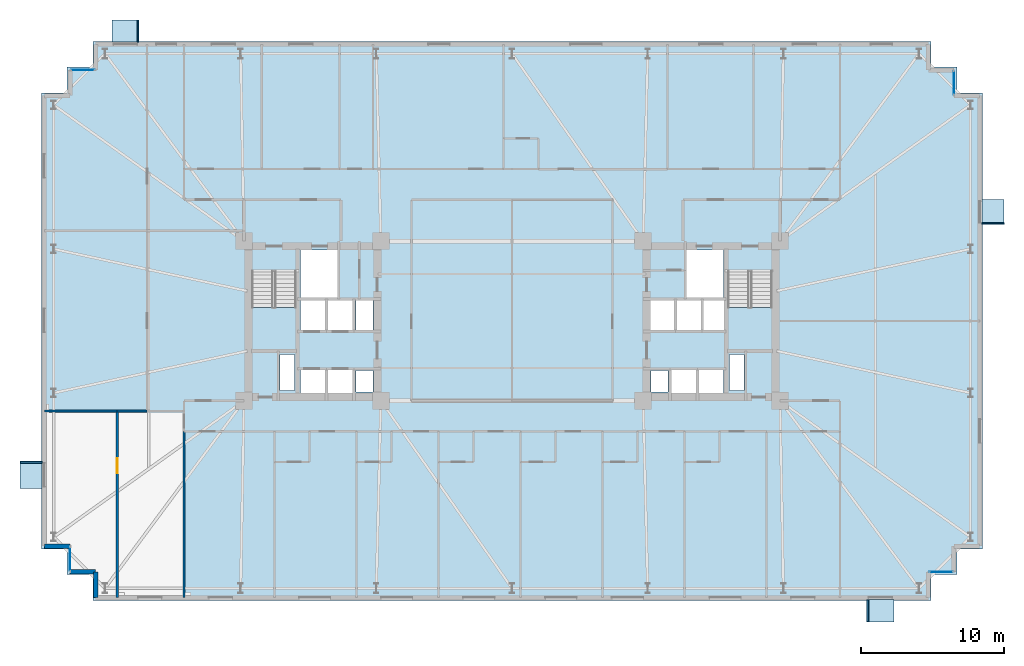
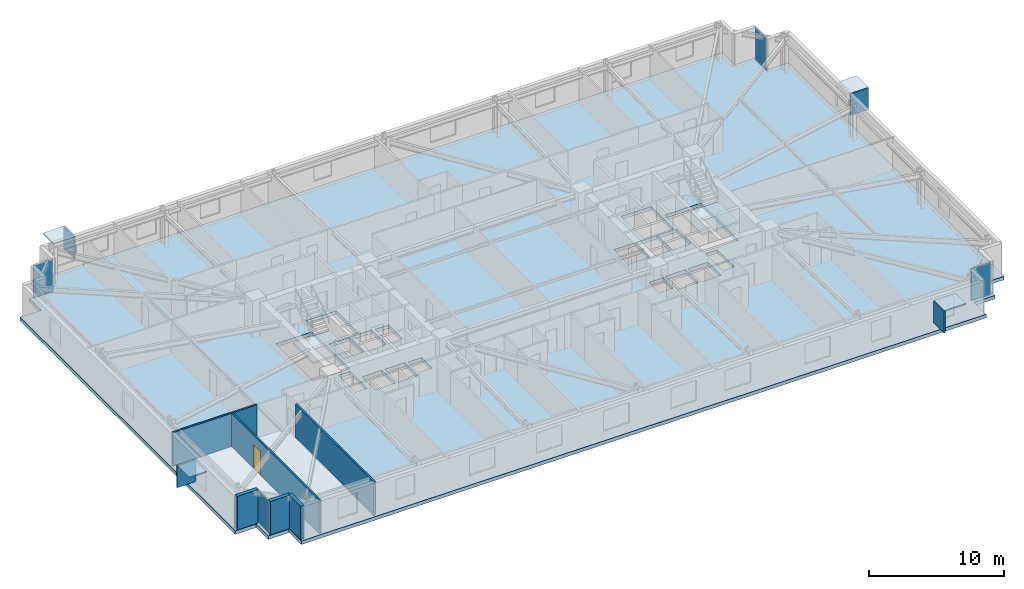
# One storey, part 13 of 20: 12 plates, 7 walls, 3 slabs, 1 door, 1 opening, 6 elements without a shape of their own.
"""IFC4 building model written with IfcOpenShell, lengths in metres."""

from ifc_helpers import new_model, si_unit, direction, frame, frame_2d, origin, origin_2d, place, context, subcontext, project, spatial, polyline, rectangle, outline, extrude, material, layer, layer_set, type_object, element, fill, aggregate, save


model = new_model("IFC4")

# Units and contexts
model_context = context("Model", 3, precision=1e-05, world=origin(), true_north=direction((0.0, 1.0)))
body_context = subcontext(model_context, "Body", "Model", "MODEL_VIEW")
ifc_project = project(units=[si_unit("LENGTHUNIT", "METRE"), si_unit("AREAUNIT", "SQUARE_METRE"), si_unit("VOLUMEUNIT", "CUBIC_METRE"), si_unit("PLANEANGLEUNIT", "RADIAN"), si_unit("MASSUNIT", "GRAM", prefix="KILO")], contexts=[model_context])

# Site, building, storey
site_placement = place(None, origin())
site = spatial("IfcSite", under=ifc_project, at=site_placement, CompositionType="ELEMENT")
building_placement = place(site_placement, origin())
building = spatial("IfcBuilding", under=site, at=building_placement, Name="Qobustan Lattice House", CompositionType="ELEMENT")
storey_placement = place(building_placement, frame((0.0, 0.0, 67.199951171875)))
storey = spatial("IfcBuildingStorey", under=building, at=storey_placement, Name="L18", CompositionType="ELEMENT", Elevation=67.199951171875)

# Curtain wall, plate
ifc_material_1 = material(Name="Anodised aluminium and low-E glazing", Category="aluminium")
ifc_layer_1 = layer(ifc_material_1, 0.219970703125)
ifc_layer_set_1 = layer_set([ifc_layer_1], Name="Anodised aluminium and low-E glazing")
curtain_wall_type = type_object("IfcCurtainWallType", Name="CW-FAC-01", PredefinedType="USERDEFINED", material=ifc_layer_set_1)
curtain_wall_1_placement = place(storey_placement, origin())
curtain_wall_1 = element("IfcCurtainWall", 1, at=curtain_wall_1_placement, inside=storey, type_object=curtain_wall_type, Name="L18 serrated corner faceted glazing 3", ObjectType="CURTAIN WALL", PredefinedType="USERDEFINED")
ifc_material_2 = material(Name="Clear low-E laminated glass", Category="glass")
ifc_layer_2 = layer(ifc_material_2, 0.031982421875)
ifc_layer_set_2 = layer_set([ifc_layer_2], Name="Clear low-E laminated glass")
plate_type_1 = type_object("IfcPlateType", Name="CWP-VISION-32", PredefinedType="CURTAIN_PANEL", material=ifc_layer_set_2)
plate_1_placement = place(storey_placement, frame((-31.0, -16.699951171875, 0.06494140625), z_axis=(0.0, 0.0, 1.0), x_axis=(0.0, 1.0, 0.0)))
plate_1 = element("IfcPlate", 2, at=plate_1_placement, type_object=plate_type_1, Name="CW-F1 panel 1.1", PredefinedType="CURTAIN_PANEL", context=body_context, shape_type="SweptSolid", body=[
    extrude(rectangle(XDim=1.659912109375, YDim=0.031982421875, at=origin_2d()), origin(), (0.0, 0.0, 1.0), 2.905029296875),
])
aggregate(curtain_wall_1, [plate_1])

curtain_wall_2_placement = place(storey_placement, origin())
curtain_wall_2 = element("IfcCurtainWall", 3, at=curtain_wall_2_placement, inside=storey, type_object=curtain_wall_type, Name="L18 serrated corner faceted glazing 8", ObjectType="CURTAIN WALL", PredefinedType="USERDEFINED")
plate_2_placement = place(storey_placement, frame((-30.10009765625, 17.60009765625, 0.06494140625), z_axis=(0.0, 0.0, 1.0), x_axis=(1.0, 0.0, 0.0)))
plate_2 = element("IfcPlate", 4, at=plate_2_placement, type_object=plate_type_1, Name="CW-F1 panel 1.1", PredefinedType="CURTAIN_PANEL", context=body_context, shape_type="SweptSolid", body=[
    extrude(rectangle(XDim=1.659912109375, YDim=0.031982421875, at=origin_2d()), origin(), (0.0, 0.0, 1.0), 2.905029296875),
])
aggregate(curtain_wall_2, [plate_2])

curtain_wall_3_placement = place(storey_placement, origin())
curtain_wall_3 = element("IfcCurtainWall", 5, at=curtain_wall_3_placement, inside=storey, type_object=curtain_wall_type, Name="L18 serrated corner faceted glazing 13", ObjectType="CURTAIN WALL", PredefinedType="USERDEFINED")
plate_3_placement = place(storey_placement, frame((31.0, 16.699951171875, 0.06494140625), z_axis=(0.0, 0.0, 1.0), x_axis=(0.0, -1.0, 0.0)))
plate_3 = element("IfcPlate", 6, at=plate_3_placement, type_object=plate_type_1, Name="CW-F1 panel 1.1", PredefinedType="CURTAIN_PANEL", context=body_context, shape_type="SweptSolid", body=[
    extrude(rectangle(XDim=1.659912109375, YDim=0.031982421875, at=origin_2d()), origin(), (0.0, 0.0, 1.0), 2.905029296875),
])
aggregate(curtain_wall_3, [plate_3])

curtain_wall_4_placement = place(storey_placement, origin())
curtain_wall_4 = element("IfcCurtainWall", 7, at=curtain_wall_4_placement, inside=storey, type_object=curtain_wall_type, Name="L18 serrated corner faceted glazing 18", ObjectType="CURTAIN WALL", PredefinedType="USERDEFINED")
plate_4_placement = place(storey_placement, frame((30.10009765625, -17.60009765625, 0.06494140625), z_axis=(0.0, 0.0, 1.0), x_axis=(-1.0, 0.0, 0.0)))
plate_4 = element("IfcPlate", 8, at=plate_4_placement, type_object=plate_type_1, Name="CW-F1 panel 1.1", PredefinedType="CURTAIN_PANEL", context=body_context, shape_type="SweptSolid", body=[
    extrude(rectangle(XDim=1.659912109375, YDim=0.031982421875, at=origin_2d()), origin(), (0.0, 0.0, 1.0), 2.905029296875),
])
aggregate(curtain_wall_4, [plate_4])

# Plates
ifc_material_3 = material(Name="Qobustan limestone GFRC", Category="masonry")
ifc_layer_3 = layer(ifc_material_3, 0.1201171875)
ifc_layer_set_3 = layer_set([ifc_layer_3], Name="Qobustan limestone GFRC")
plate_type_2 = type_object("IfcPlateType", Name="SHD-HOOD-BROW", PredefinedType="USERDEFINED", material=ifc_layer_set_3)
plate_5_placement = place(storey_placement, frame((-33.72998046875, -10.800048828125, 2.699951171875), z_axis=(0.0, 0.0, 1.0), x_axis=(0.0, 1.0, 0.0)))
element("IfcPlate", 9, at=plate_5_placement, inside=storey, type_object=plate_type_2, Name="L18 splayed Qobustan stone hood brow", ObjectType="SUNSHADE", PredefinedType="USERDEFINED", context=body_context, shape_type="SweptSolid", body=[
    extrude(rectangle(XDim=1.889892578125, YDim=1.56005859375, at=origin_2d()), origin(), (0.0, 0.0, 1.0), 0.1201171875),
])
plate_6_placement = place(storey_placement, frame((-33.72998046875, -9.9150390625, 0.7900390625), z_axis=(0.0, 0.0, 1.0), x_axis=(0.0, 1.0, 0.0)))
element("IfcPlate", 10, at=plate_6_placement, inside=storey, type_object=plate_type_2, Name="L18 splayed Qobustan stone hood cheek", ObjectType="SUNSHADE", PredefinedType="USERDEFINED", context=body_context, shape_type="SweptSolid", body=[
    extrude(rectangle(XDim=0.1201171875, YDim=1.56005859375, at=origin_2d()), origin(), (0.0, 0.0, 1.0), 1.969970703125),
])
plate_7_placement = place(storey_placement, frame((-27.1201171875, 20.330078125, 2.699951171875), z_axis=(0.0, 0.0, 1.0), x_axis=(1.0, 0.0, 0.0)))
element("IfcPlate", 11, at=plate_7_placement, inside=storey, type_object=plate_type_2, Name="L18 splayed Qobustan stone hood brow", ObjectType="SUNSHADE", PredefinedType="USERDEFINED", context=body_context, shape_type="SweptSolid", body=[
    extrude(rectangle(XDim=1.889892578125, YDim=1.56005859375, at=origin_2d()), origin(), (0.0, 0.0, 1.0), 0.1201171875),
])
plate_8_placement = place(storey_placement, frame((-26.235107421875, 20.330078125, 0.7900390625), z_axis=(0.0, 0.0, 1.0), x_axis=(1.0, 0.0, 0.0)))
element("IfcPlate", 12, at=plate_8_placement, inside=storey, type_object=plate_type_2, Name="L18 splayed Qobustan stone hood cheek", ObjectType="SUNSHADE", PredefinedType="USERDEFINED", context=body_context, shape_type="SweptSolid", body=[
    extrude(rectangle(XDim=0.1201171875, YDim=1.56005859375, at=origin_2d()), origin(), (0.0, 0.0, 1.0), 1.969970703125),
])
plate_9_placement = place(storey_placement, frame((33.72998046875, 7.639892578125, 2.699951171875), z_axis=(0.0, 0.0, 1.0), x_axis=(0.0, -1.0, 0.0)))
element("IfcPlate", 13, at=plate_9_placement, inside=storey, type_object=plate_type_2, Name="L18 splayed Qobustan stone hood brow", ObjectType="SUNSHADE", PredefinedType="USERDEFINED", context=body_context, shape_type="SweptSolid", body=[
    extrude(rectangle(XDim=1.739990234375, YDim=1.56005859375, at=origin_2d()), origin(), (0.0, 0.0, 1.0), 0.1201171875),
])
plate_10_placement = place(storey_placement, frame((33.72998046875, 6.830078125, 0.7900390625), z_axis=(0.0, 0.0, 1.0), x_axis=(0.0, -1.0, 0.0)))
element("IfcPlate", 14, at=plate_10_placement, inside=storey, type_object=plate_type_2, Name="L18 splayed Qobustan stone hood cheek", ObjectType="SUNSHADE", PredefinedType="USERDEFINED", context=body_context, shape_type="SweptSolid", body=[
    extrude(rectangle(XDim=0.1201171875, YDim=1.56005859375, at=origin_2d()), origin(), (0.0, 0.0, 1.0), 1.969970703125),
])
plate_11_placement = place(storey_placement, frame((25.840087890625, -20.330078125, 2.699951171875), z_axis=(0.0, 0.0, 1.0), x_axis=(-1.0, 0.0, 0.0)))
element("IfcPlate", 15, at=plate_11_placement, inside=storey, type_object=plate_type_2, Name="L18 splayed Qobustan stone hood brow", ObjectType="SUNSHADE", PredefinedType="USERDEFINED", context=body_context, shape_type="SweptSolid", body=[
    extrude(rectangle(XDim=1.889892578125, YDim=1.56005859375, at=origin_2d()), origin(), (0.0, 0.0, 1.0), 0.1201171875),
])
plate_12_placement = place(storey_placement, frame((24.955078125, -20.330078125, 0.7900390625), z_axis=(0.0, 0.0, 1.0), x_axis=(-1.0, 0.0, 0.0)))
element("IfcPlate", 16, at=plate_12_placement, inside=storey, type_object=plate_type_2, Name="L18 splayed Qobustan stone hood cheek", ObjectType="SUNSHADE", PredefinedType="USERDEFINED", context=body_context, shape_type="SweptSolid", body=[
    extrude(rectangle(XDim=0.1201171875, YDim=1.56005859375, at=origin_2d()), origin(), (0.0, 0.0, 1.0), 1.969970703125),
])

# Slab
ifc_material_4 = material(Name="Concrete C40/50", Category="concrete")
ifc_layer_4 = layer(ifc_material_4, 0.31494140625)
ifc_layer_set_4 = layer_set([ifc_layer_4], Name="Concrete C40/50")
slab_type_1 = type_object("IfcSlabType", Name="SLB-FLR-315", PredefinedType="FLOOR", material=ifc_layer_set_4)
slab_1_placement = place(storey_placement, frame((0.0, 0.0, -0.31494140625)))
element("IfcSlab", 17, at=slab_1_placement, inside=storey, type_object=slab_type_1, Name="L18 structural floor slab", PredefinedType="FLOOR", context=body_context, shape_type="SweptSolid", body=[
    extrude(outline(polyline([(-29.39990234375, -19.60009765625), (29.39990234375, -19.60009765625), (29.39990234375, -17.800048828125), (31.199951171875, -17.800048828125), (31.199951171875, -16.0), (33.0, -16.0), (33.0, 16.0), (31.199951171875, 16.0), (31.199951171875, 17.800048828125), (29.39990234375, 17.800048828125), (29.39990234375, 19.60009765625), (-29.39990234375, 19.60009765625), (-29.39990234375, 17.800048828125), (-31.199951171875, 17.800048828125), (-31.199951171875, 16.0), (-33.0, 16.0), (-33.0, -16.0), (-31.199951171875, -16.0), (-31.199951171875, -17.800048828125), (-29.39990234375, -17.800048828125), (-29.39990234375, -19.60009765625)]), holes=[polyline([(-18.25, -2.050048828125), (-18.25, 3.489990234375), (-15.1298828125, 3.489990234375), (-15.1298828125, -2.050048828125), (-18.25, -2.050048828125)]), polyline([(15.1298828125, -2.050048828125), (15.1298828125, 3.489990234375), (18.25, 3.489990234375), (18.25, -2.050048828125), (15.1298828125, -2.050048828125)]), polyline([(-14.820068359375, 1.64990234375), (-14.820068359375, 4.9599609375), (-12.25, 4.9599609375), (-12.25, 1.64990234375), (-14.820068359375, 1.64990234375)]), polyline([(12.25, 1.64990234375), (12.25, 4.9599609375), (14.820068359375, 4.9599609375), (14.820068359375, 1.64990234375), (12.25, 1.64990234375)]), polyline([(-16.260009765625, -4.8798828125), (-16.260009765625, -2.360107421875), (-15.260009765625, -2.360107421875), (-15.260009765625, -4.8798828125), (-16.260009765625, -4.8798828125)]), polyline([(15.260009765625, -4.8798828125), (15.260009765625, -2.360107421875), (16.260009765625, -2.360107421875), (16.260009765625, -4.8798828125), (15.260009765625, -4.8798828125)]), polyline([(-14.85009765625, -5.35009765625), (-14.85009765625, -3.419921875), (-13.1201171875, -3.419921875), (-13.1201171875, -5.35009765625), (-14.85009765625, -5.35009765625)]), polyline([(-12.919921875, -5.35009765625), (-12.919921875, -3.419921875), (-11.179931640625, -3.419921875), (-11.179931640625, -5.35009765625), (-12.919921875, -5.35009765625)]), polyline([(-14.85009765625, -0.679931640625), (-14.85009765625, 1.47998046875), (-13.1201171875, 1.47998046875), (-13.1201171875, -0.679931640625), (-14.85009765625, -0.679931640625)]), polyline([(-12.919921875, -0.679931640625), (-12.919921875, 1.47998046875), (-11.179931640625, 1.47998046875), (-11.179931640625, -0.679931640625), (-12.919921875, -0.679931640625)]), polyline([(-10.93994140625, -5.0), (-10.93994140625, -3.47998046875), (-9.760009765625, -3.47998046875), (-9.760009765625, -5.0), (-10.93994140625, -5.0)]), polyline([(-10.93994140625, -0.6201171875), (-10.93994140625, 1.419921875), (-9.760009765625, 1.419921875), (-9.760009765625, -0.6201171875), (-10.93994140625, -0.6201171875)]), polyline([(11.179931640625, -5.35009765625), (11.179931640625, -3.419921875), (12.919921875, -3.419921875), (12.919921875, -5.35009765625), (11.179931640625, -5.35009765625)]), polyline([(13.1201171875, -5.35009765625), (13.1201171875, -3.419921875), (14.85009765625, -3.419921875), (14.85009765625, -5.35009765625), (13.1201171875, -5.35009765625)]), polyline([(9.760009765625, -5.0), (9.760009765625, -3.47998046875), (10.93994140625, -3.47998046875), (10.93994140625, -5.0), (9.760009765625, -5.0)]), polyline([(13.360107421875, -0.679931640625), (13.360107421875, 1.47998046875), (14.97998046875, 1.47998046875), (14.97998046875, -0.679931640625), (13.360107421875, -0.679931640625)]), polyline([(9.6201171875, -0.679931640625), (9.6201171875, 1.47998046875), (11.43994140625, 1.47998046875), (11.43994140625, -0.679931640625), (9.6201171875, -0.679931640625)]), polyline([(11.5, -0.679931640625), (11.5, 1.47998046875), (13.320068359375, 1.47998046875), (13.320068359375, -0.679931640625), (11.5, -0.679931640625)])]), origin(), (0.0, 0.0, 1.0), 0.31494140625),
])

# Stair, slab
ifc_material_5 = material(Name="Concrete C40/50", Category="concrete")
stair_type = type_object("IfcStairType", Name="STR-CORE-DOGLEG", PredefinedType="HALF_TURN_STAIR", material=ifc_material_5)
stair_1_placement = place(storey_placement, origin())
stair_1 = element("IfcStair", 18, at=stair_1_placement, inside=storey, type_object=stair_type, Name="L18 West protected exit stair ST-W1", PredefinedType="HALF_TURN_STAIR")
ifc_material_6 = material(Name="Concrete C40/50", Category="concrete")
ifc_layer_5 = layer(ifc_material_6, 0.199951171875)
ifc_layer_set_5 = layer_set([ifc_layer_5], Name="Concrete C40/50")
slab_type_2 = type_object("IfcSlabType", Name="SLB-LANDING-200", PredefinedType="LANDING", material=ifc_layer_set_5)
slab_2_placement = place(storey_placement, frame((0.0, 0.0, 1.47509765625)))
slab_2 = element("IfcSlab", 19, at=slab_2_placement, type_object=slab_type_2, Name="ST-W1 landing 1", PredefinedType="LANDING", context=body_context, shape_type="SweptSolid", body=[
    extrude(outline(polyline([(-18.25, 0.93505859375), (-18.25, -2.050048828125), (-15.1298828125, -2.050048828125), (-15.1298828125, 0.93505859375), (-18.25, 0.93505859375)])), origin(), (0.0, 0.0, 1.0), 0.199951171875),
])
aggregate(stair_1, [slab_2])

stair_2_placement = place(storey_placement, origin())
stair_2 = element("IfcStair", 20, at=stair_2_placement, inside=storey, type_object=stair_type, Name="L18 East protected exit stair ST-E1", PredefinedType="HALF_TURN_STAIR")
slab_3_placement = place(storey_placement, frame((0.0, 0.0, 1.47509765625)))
slab_3 = element("IfcSlab", 21, at=slab_3_placement, type_object=slab_type_2, Name="ST-E1 landing 1", PredefinedType="LANDING", context=body_context, shape_type="SweptSolid", body=[
    extrude(outline(polyline([(15.1298828125, 0.93505859375), (15.1298828125, -2.050048828125), (18.25, -2.050048828125), (18.25, 0.93505859375), (15.1298828125, 0.93505859375)])), origin(), (0.0, 0.0, 1.0), 0.199951171875),
])
aggregate(stair_2, [slab_3])

# Walls
ifc_material_7 = material(Name="Precast concrete C40/50", Category="concrete")
ifc_layer_6 = layer(ifc_material_7, 0.320068359375)
ifc_layer_set_6 = layer_set([ifc_layer_6], Name="Precast concrete C40/50")
wall_type_1 = type_object("IfcWallType", Name="WAL-EXT-STONE-320", PredefinedType="SOLIDWALL", material=ifc_layer_set_6)
wall_1_placement = place(storey_placement, frame((-29.199951171875, -19.39990234375, 0.0), z_axis=(0.0, 0.0, 1.0), x_axis=(0.0, 1.0, 0.0)))
element("IfcWall", 22, at=wall_1_placement, inside=storey, type_object=wall_type_1, Name="L18 exterior limestone-clad wall 1", PredefinedType="SOLIDWALL", context=body_context, shape_type="SweptSolid", body=[
    extrude(rectangle(XDim=1.7998046875, YDim=0.320068359375, at=frame_2d((0.89990234375, 0.0))), origin(), (0.0, 0.0, 1.0), 3.03515625),
])
for number, where, z_axis, x_axis, name in (
    (23, (-29.199951171875, -17.60009765625, 0.0), (0.0, 0.0, 1.0), (-1.0, 0.0, 0.0), "L18 exterior limestone-clad wall 2"),
    (24, (-31.0, -15.800048828125, 0.0), (0.0, 0.0, 1.0), (-1.0, 0.0, 0.0), "L18 exterior limestone-clad wall 4"),
):
    element("IfcWall", number, at=place(storey_placement, frame(where, z_axis=z_axis, x_axis=x_axis)), inside=storey, type_object=wall_type_1, Name=name, PredefinedType="SOLIDWALL", context=body_context, shape_type="SweptSolid", body=[
        extrude(rectangle(XDim=1.800048828125, YDim=0.320068359375, at=frame_2d((0.89990234375, 0.0))), origin(), (0.0, 0.0, 1.0), 3.03515625),
    ])

# Wall, opening, door
ifc_material_8 = material(Name="Acoustic twin-stud gypsum partition", Category="gypsum")
ifc_layer_7 = layer(ifc_material_8, 0.14990234375)
ifc_layer_set_7 = layer_set([ifc_layer_7], Name="Acoustic twin-stud gypsum partition")
wall_type_2 = type_object("IfcWallType", Name="WAL-PART-150", PredefinedType="PARTITIONING", material=ifc_layer_set_7)
wall_2_placement = place(storey_placement, frame((-27.68994140625, -6.326904296875, 0.0), z_axis=(0.0, 0.0, 1.0), x_axis=(0.0, -1.0, 0.0)))
wall_2 = element("IfcWall", 25, at=wall_2_placement, inside=storey, type_object=wall_type_2, Name="L18 interior partition 78", PredefinedType="PARTITIONING", context=body_context, shape_type="SweptSolid", body=[
    extrude(rectangle(XDim=13.072998046875, YDim=0.14990234375, at=frame_2d((6.53662109375, 0.0))), origin(), (0.0, 0.0, 1.0), 3.03515625),
])
opening_placement = place(wall_2_placement, frame((3.295654296875, 0.0, 0.0)))
opening = element("IfcOpeningElement", 26, at=opening_placement, cuts=wall_2, Name="Opening ID-02", PredefinedType="OPENING", context=body_context, shape_type="SweptSolid", body=[
    extrude(rectangle(XDim=1.050048828125, YDim=2.14990234375, at=frame_2d((0.52490234375, 1.074951171875))), frame((0.0, 0.0849609375, 0.0), z_axis=(0.0, -1.0, 0.0), x_axis=(1.0, 0.0, 0.0)), (0.0, 0.0, 1.0), 0.169921875),
])
ifc_material_9 = material(Name="Persian walnut timber and steel frame door", Category="steel")
door_type = type_object("IfcDoorType", Name="DOR-STUDY-1050x2150", OperationType="NOTDEFINED", PredefinedType="DOOR", material=ifc_material_9)
door_placement = place(opening_placement, origin())
door = element("IfcDoor", 27, at=door_placement, inside=storey, type_object=door_type, Name="L18 Focus study room W1A to Focus study room W1B door", OperationType="SINGLE_SWING_LEFT", OverallHeight=2.14990234375, OverallWidth=1.050048828125, PredefinedType="DOOR", context=body_context, shape_type="SweptSolid", body=[
    extrude(rectangle(XDim=1.050048828125, YDim=2.14990234375, at=frame_2d((0.52490234375, 1.074951171875))), frame((0.0, 0.02490234375, 0.0), z_axis=(0.0, -1.0, 0.0), x_axis=(1.0, 0.0, 0.0)), (0.0, 0.0, 1.0), 0.050048828125),
])
fill(opening, door)

# Walls
wall_3_placement = place(storey_placement, frame((-32.800048828125, -6.326904296875, 0.0), z_axis=(0.0, 0.0, 1.0), x_axis=(1.0, 0.0, 0.0)))
element("IfcWall", 28, at=wall_3_placement, inside=storey, type_object=wall_type_2, Name="L18 interior partition 79", PredefinedType="PARTITIONING", context=body_context, shape_type="SweptSolid", body=[
    extrude(rectangle(XDim=5.110107421875, YDim=0.14990234375, at=frame_2d((2.55517578125, 0.0))), origin(), (0.0, 0.0, 1.0), 3.03515625),
])
wall_4_placement = place(storey_placement, frame((-27.68994140625, -6.326904296875, 0.0), z_axis=(0.0, 0.0, 1.0), x_axis=(1.0, 0.0, 0.0)))
element("IfcWall", 29, at=wall_4_placement, inside=storey, type_object=wall_type_2, Name="L18 interior partition 80", PredefinedType="PARTITIONING", context=body_context, shape_type="SweptSolid", body=[
    extrude(rectangle(XDim=2.099853515625, YDim=0.14990234375, at=frame_2d((1.0498046875, 0.0))), origin(), (0.0, 0.0, 1.0), 3.03515625),
])
wall_5_placement = place(storey_placement, frame((-23.0, -7.75, 0.0), z_axis=(0.0, 0.0, 1.0), x_axis=(0.0, -1.0, 0.0)))
element("IfcWall", 30, at=wall_5_placement, inside=storey, type_object=wall_type_2, Name="L18 interior partition 82", PredefinedType="PARTITIONING", context=body_context, shape_type="SweptSolid", body=[
    extrude(rectangle(XDim=11.64990234375, YDim=0.14990234375, at=frame_2d((5.824951171875, 0.0))), origin(), (0.0, 0.0, 1.0), 3.03515625),
])

save(model, "model.ifc")
